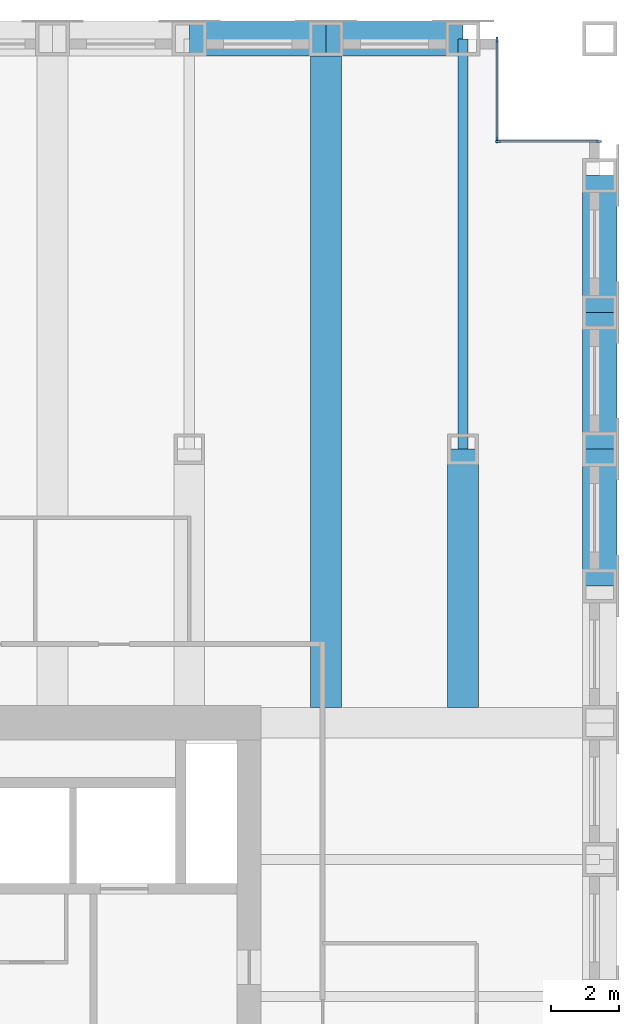
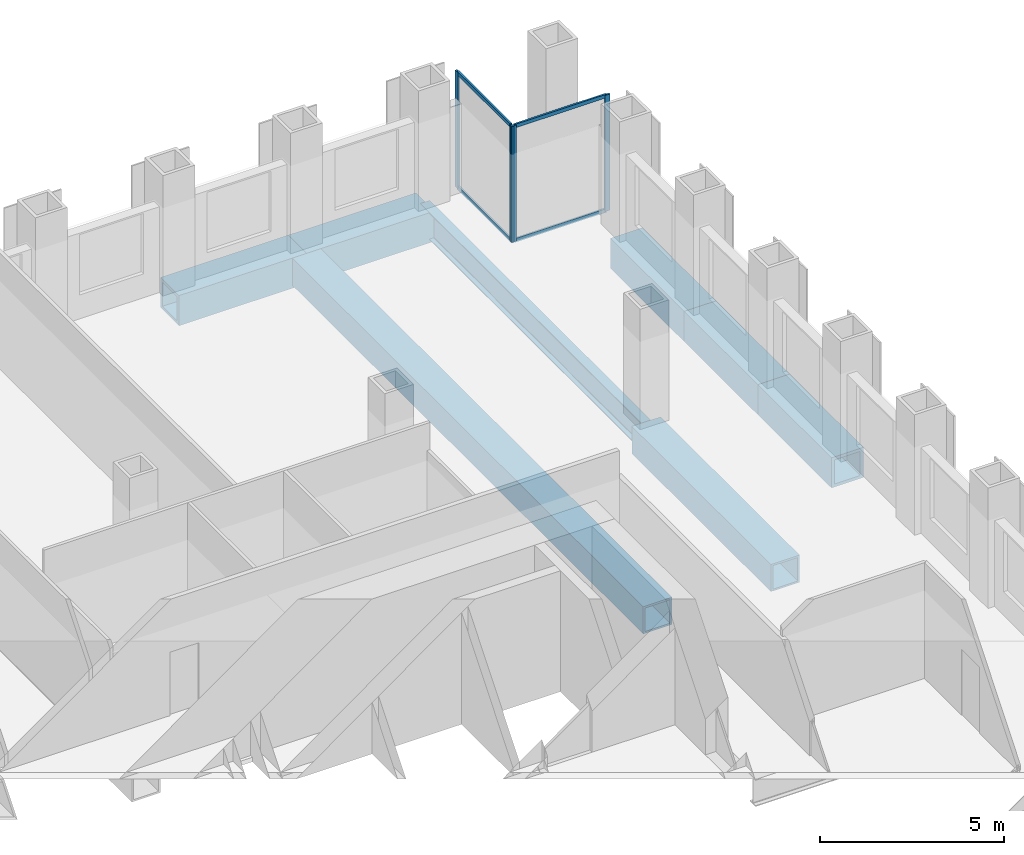
# One storey, part 7 of 14: 8 beams, 8 members, 2 elements without a shape of their own.
"""IFC4 building model written with IfcOpenShell, lengths in metres."""

from ifc_helpers import new_model, si_unit, direction, frame, origin, origin_2d, place, context, subcontext, project, spatial, rectangle, hollow_rectangle, i_section, extrude, material, material_profile, profile_set, type_object, element, aggregate, save


model = new_model("IFC4")

# Units and contexts
model_context = context("Model", 3, precision=1e-05, world=origin(), true_north=direction((0.0, 1.0)))
body_context = subcontext(model_context, "Body", "Model", "MODEL_VIEW")
ifc_project = project(units=[si_unit("LENGTHUNIT", "METRE"), si_unit("AREAUNIT", "SQUARE_METRE"), si_unit("VOLUMEUNIT", "CUBIC_METRE"), si_unit("PLANEANGLEUNIT", "RADIAN"), si_unit("MASSUNIT", "GRAM", prefix="KILO")], contexts=[model_context])

# Site, building, storey
site_placement = place(None, origin())
site = spatial("IfcSite", under=ifc_project, at=site_placement, CompositionType="ELEMENT")
building_placement = place(site_placement, origin())
building = spatial("IfcBuilding", under=site, at=building_placement, Name="Rimbunsela Tower", CompositionType="ELEMENT")
storey_placement = place(building_placement, frame((0.0, 0.0, 179.800048828125)))
storey = spatial("IfcBuildingStorey", under=building, at=storey_placement, Name="L43", CompositionType="ELEMENT", Elevation=179.800048828125)

# Beams
ifc_material_1 = material(Name="Steel BJ 55 (fy 410 MPa)", Category="steel")
ifc_material_profile_1 = material_profile(ifc_material_1, hollow_rectangle(XDim=1.0, YDim=1.0, WallThickness=0.10009765625, at=origin_2d()), Name="BOX 1000x1000x100")
ifc_profile_set_1 = profile_set([ifc_material_profile_1], Name="Steel BJ 55 (fy 410 MPa)")
beam_type_1 = type_object("IfcBeamType", Name="Beam BOX 1000x1000x100", PredefinedType="BEAM", material=ifc_profile_set_1)
for number, where, z_axis, x_axis, name in (
    (1, (34.0, 56.0, -0.650146484375), (1.0, 0.0, 0.0), (0.0, 1.0, 0.0), "Beam B3 L43"),
    (2, (38.0, 56.0, -0.650146484375), (1.0, 0.0, 0.0), (0.0, 1.0, 0.0), "Beam B3 L43"),
    (3, (46.0, 40.0, -0.650146484375), (0.0, 1.0, 0.0), (-1.0, 0.0, 0.0), "Beam B3 L43"),
    (4, (46.0, 44.0, -0.650146484375), (0.0, 1.0, 0.0), (-1.0, 0.0, 0.0), "Beam B3 L43"),
    (5, (46.0, 48.0, -0.650146484375), (0.0, 1.0, 0.0), (-1.0, 0.0, 0.0), "Beam B3 L43"),
):
    element("IfcBeam", number, at=place(storey_placement, frame(where, z_axis=z_axis, x_axis=x_axis)), inside=storey, type_object=beam_type_1, Name=name, PredefinedType="BEAM", context=body_context, shape_type="SweptSolid", body=[
        extrude(hollow_rectangle(XDim=1.0, YDim=1.0, WallThickness=0.10009765625, at=origin_2d()), origin(), (0.0, 0.0, 1.0), 4.0),
    ])
ifc_material_2 = material(Name="Steel BJ 55 (fy 410 MPa)", Category="steel")
ifc_material_profile_2 = material_profile(ifc_material_2, hollow_rectangle(XDim=0.89990234375, YDim=0.89990234375, WallThickness=0.06005859375, at=origin_2d()), Name="BOX 900x900x60")
ifc_profile_set_2 = profile_set([ifc_material_profile_2], Name="Steel BJ 55 (fy 410 MPa)")
beam_type_2 = type_object("IfcBeamType", Name="Beam BOX 900x900x60", PredefinedType="BEAM", material=ifc_profile_set_2)
beam_1_placement = place(storey_placement, frame((38.0, 36.449951171875, -0.60009765625), z_axis=(0.0, 1.0, 0.0), x_axis=(-1.0, 0.0, 0.0)))
element("IfcBeam", 6, at=beam_1_placement, inside=storey, type_object=beam_type_2, Name="Beam B1 L43", PredefinedType="BEAM", context=body_context, shape_type="SweptSolid", body=[
    extrude(hollow_rectangle(XDim=0.89990234375, YDim=0.89990234375, WallThickness=0.06005859375, at=origin_2d()), origin(), (0.0, 0.0, 1.0), 19.550048828125),
])
beam_2_placement = place(storey_placement, frame((42.0, 36.449951171875, -0.60009765625), z_axis=(0.0, 1.0, 0.0), x_axis=(-1.0, 0.0, 0.0)))
element("IfcBeam", 7, at=beam_2_placement, inside=storey, type_object=beam_type_2, Name="Beam B1 L43", PredefinedType="BEAM", context=body_context, shape_type="SweptSolid", body=[
    extrude(hollow_rectangle(XDim=0.89990234375, YDim=0.89990234375, WallThickness=0.06005859375, at=origin_2d()), origin(), (0.0, 0.0, 1.0), 7.550048828125),
])
ifc_material_3 = material(Name="Steel BJ 55 (fy 410 MPa)", Category="steel")
ifc_material_profile_3 = material_profile(ifc_material_3, i_section(OverallWidth=0.300048828125, OverallDepth=0.89990234375, WebThickness=0.01611328125, FlangeThickness=0.028076171875, FilletRadius=0.028076171875, at=origin_2d()), Name="H 900x300x16x28")
ifc_profile_set_3 = profile_set([ifc_material_profile_3], Name="Steel BJ 55 (fy 410 MPa)")
beam_type_3 = type_object("IfcBeamType", Name="Beam H 900x300x16x28", PredefinedType="BEAM", material=ifc_profile_set_3)
beam_3_placement = place(storey_placement, frame((42.0, 44.0, -0.60009765625), z_axis=(0.0, 1.0, 0.0), x_axis=(-1.0, 0.0, 0.0)))
element("IfcBeam", 8, at=beam_3_placement, inside=storey, type_object=beam_type_3, Name="Beam B2 L43", PredefinedType="BEAM", context=body_context, shape_type="SweptSolid", body=[
    extrude(i_section(OverallWidth=0.300048828125, OverallDepth=0.89990234375, WebThickness=0.01611328125, FlangeThickness=0.028076171875, FilletRadius=0.028076171875, at=origin_2d()), origin(), (0.0, 0.0, 1.0), 12.0),
])

# Curtain wall, members
ifc_material_4 = material(Name="Aluminium curtain wall", Category="aluminium")
curtain_wall_type = type_object("IfcCurtainWallType", Name="Corner glazing", PredefinedType="USERDEFINED", material=ifc_material_4)
curtain_wall_1_placement = place(storey_placement, origin())
curtain_wall_1 = element("IfcCurtainWall", 9, at=curtain_wall_1_placement, inside=storey, type_object=curtain_wall_type, Name="Corner glazing L43", ObjectType="CORNER GLAZING", PredefinedType="USERDEFINED")
ifc_material_5 = material(Name="Aluminium mullion", Category="aluminium")
ifc_material_profile_4 = material_profile(ifc_material_5, rectangle(XDim=0.06005859375, YDim=0.159912109375, at=origin_2d()), Name="Mullion 60x160")
ifc_profile_set_4 = profile_set([ifc_material_profile_4], Name="Aluminium mullion")
member_type_1 = type_object("IfcMemberType", Name="Curtain wall mullion 60x160", PredefinedType="MULLION", material=ifc_profile_set_4)
member_1_placement = place(storey_placement, frame((45.969970703125, 53.0, 0.0), z_axis=(0.0, 0.0, 1.0), x_axis=(0.0, -1.0, 0.0)))
member_1 = element("IfcMember", 10, at=member_1_placement, type_object=member_type_1, Name="CW5 mullion 1", PredefinedType="MULLION", context=body_context, shape_type="SweptSolid", body=[
    extrude(rectangle(XDim=0.06005859375, YDim=0.159912109375, at=origin_2d()), origin(), (0.0, 0.0, 1.0), 3.849853515625),
])
member_2_placement = place(storey_placement, frame((43.030029296875, 53.0, 0.0), z_axis=(0.0, 0.0, 1.0), x_axis=(0.0, -1.0, 0.0)))
member_2 = element("IfcMember", 11, at=member_2_placement, type_object=member_type_1, Name="CW5 mullion 2", PredefinedType="MULLION", context=body_context, shape_type="SweptSolid", body=[
    extrude(rectangle(XDim=0.06005859375, YDim=0.159912109375, at=origin_2d()), origin(), (0.0, 0.0, 1.0), 3.849853515625),
])

curtain_wall_2_placement = place(storey_placement, origin())
curtain_wall_2 = element("IfcCurtainWall", 12, at=curtain_wall_2_placement, inside=storey, type_object=curtain_wall_type, Name="Corner glazing L43", ObjectType="CORNER GLAZING", PredefinedType="USERDEFINED")
member_3_placement = place(storey_placement, frame((43.0, 53.030029296875, 0.0), z_axis=(0.0, 0.0, 1.0), x_axis=(-1.0, 0.0, 0.0)))
member_3 = element("IfcMember", 13, at=member_3_placement, type_object=member_type_1, Name="CW5 mullion 1", PredefinedType="MULLION", context=body_context, shape_type="SweptSolid", body=[
    extrude(rectangle(XDim=0.06005859375, YDim=0.159912109375, at=origin_2d()), origin(), (0.0, 0.0, 1.0), 3.849853515625),
])
member_4_placement = place(storey_placement, frame((43.0, 55.969970703125, 0.0), z_axis=(0.0, 0.0, 1.0), x_axis=(-1.0, 0.0, 0.0)))
member_4 = element("IfcMember", 14, at=member_4_placement, type_object=member_type_1, Name="CW5 mullion 2", PredefinedType="MULLION", context=body_context, shape_type="SweptSolid", body=[
    extrude(rectangle(XDim=0.06005859375, YDim=0.159912109375, at=origin_2d()), origin(), (0.0, 0.0, 1.0), 3.849853515625),
])

# Member
ifc_material_6 = material(Name="Aluminium transom", Category="aluminium")
ifc_material_profile_5 = material_profile(ifc_material_6, rectangle(XDim=0.06005859375, YDim=0.1201171875, at=origin_2d()), Name="Transom 60x120")
ifc_profile_set_5 = profile_set([ifc_material_profile_5], Name="Aluminium transom")
member_type_2 = type_object("IfcMemberType", Name="Curtain wall transom 60x120", PredefinedType="USERDEFINED", material=ifc_profile_set_5)
member_5_placement = place(storey_placement, frame((45.93994140625, 53.0, 0.030029296875), z_axis=(-1.0, 0.0, 0.0), x_axis=(0.0, -1.0, 0.0)))
member_5 = element("IfcMember", 15, at=member_5_placement, type_object=member_type_2, Name="CW5 transom 1.1", ObjectType="TRANSOM", PredefinedType="USERDEFINED", context=body_context, shape_type="SweptSolid", body=[
    extrude(rectangle(XDim=0.06005859375, YDim=0.1201171875, at=origin_2d()), origin(), (0.0, 0.0, 1.0), 2.8798828125),
])

member_6_placement = place(storey_placement, frame((45.93994140625, 53.0, 3.820068359375), z_axis=(-1.0, 0.0, 0.0), x_axis=(0.0, -1.0, 0.0)))
member_6 = element("IfcMember", 16, at=member_6_placement, type_object=member_type_2, Name="CW5 transom 1.2", ObjectType="TRANSOM", PredefinedType="USERDEFINED", context=body_context, shape_type="SweptSolid", body=[
    extrude(rectangle(XDim=0.06005859375, YDim=0.1201171875, at=origin_2d()), origin(), (0.0, 0.0, 1.0), 2.8798828125),
])

aggregate(curtain_wall_1, [member_1, member_2, member_5, member_6])

member_7_placement = place(storey_placement, frame((43.0, 53.06005859375, 0.030029296875), z_axis=(0.0, 1.0, 0.0), x_axis=(-1.0, 0.0, 0.0)))
member_7 = element("IfcMember", 17, at=member_7_placement, type_object=member_type_2, Name="CW5 transom 1.1", ObjectType="TRANSOM", PredefinedType="USERDEFINED", context=body_context, shape_type="SweptSolid", body=[
    extrude(rectangle(XDim=0.06005859375, YDim=0.1201171875, at=origin_2d()), origin(), (0.0, 0.0, 1.0), 2.8798828125),
])

member_8_placement = place(storey_placement, frame((43.0, 53.06005859375, 3.820068359375), z_axis=(0.0, 1.0, 0.0), x_axis=(-1.0, 0.0, 0.0)))
member_8 = element("IfcMember", 18, at=member_8_placement, type_object=member_type_2, Name="CW5 transom 1.2", ObjectType="TRANSOM", PredefinedType="USERDEFINED", context=body_context, shape_type="SweptSolid", body=[
    extrude(rectangle(XDim=0.06005859375, YDim=0.1201171875, at=origin_2d()), origin(), (0.0, 0.0, 1.0), 2.8798828125),
])

aggregate(curtain_wall_2, [member_3, member_4, member_7, member_8])

save(model, "model.ifc")
